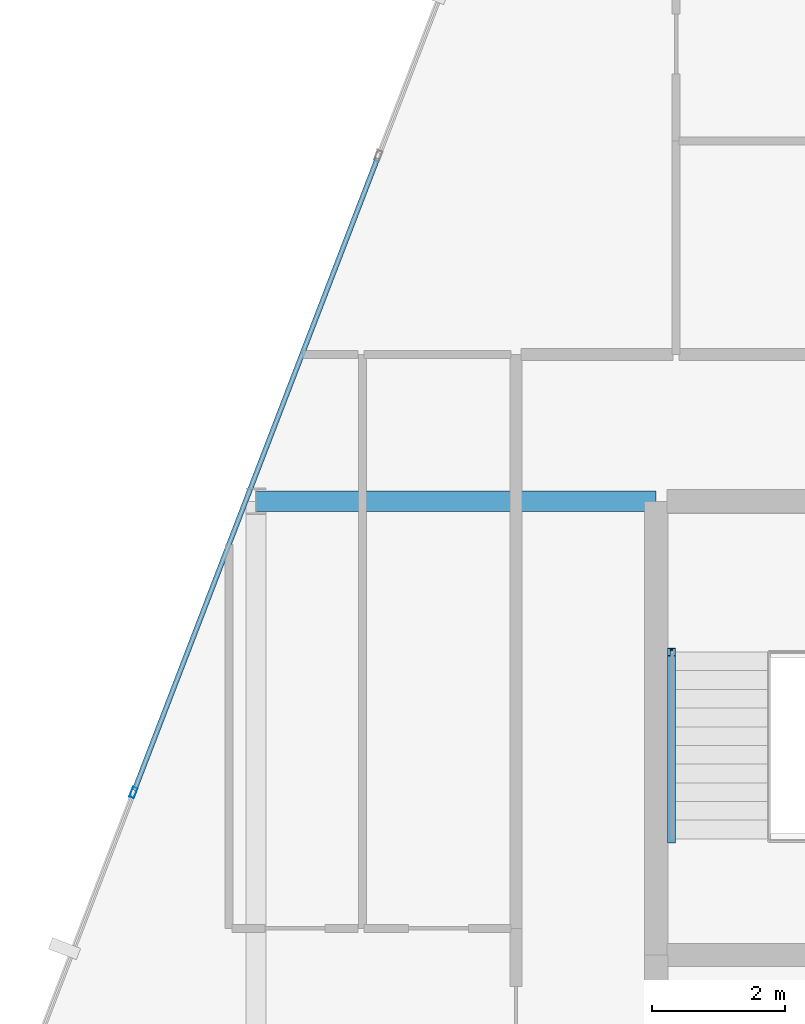
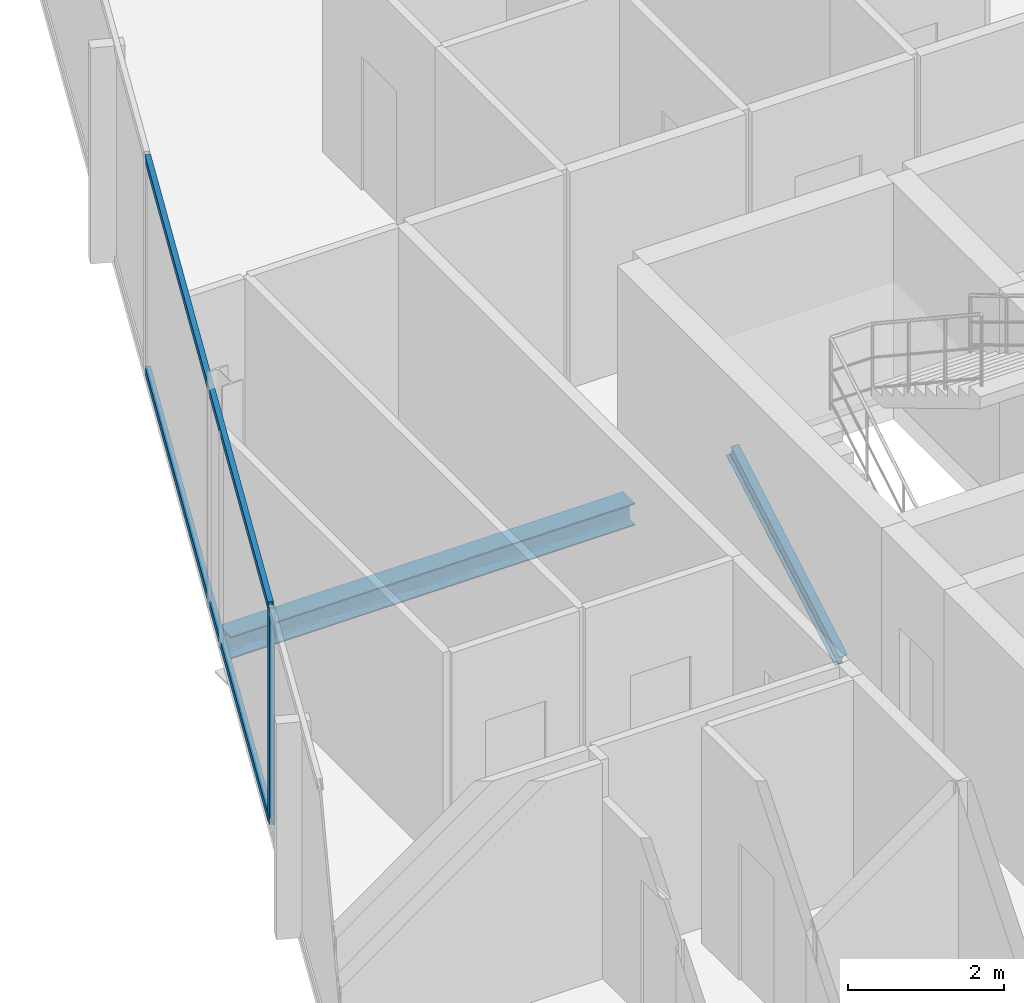
# One storey, part 12 of 30: 4 members, 1 beam, 1 element without a shape of its own.
"""IFC4 building model written with IfcOpenShell, lengths in metres."""

from ifc_helpers import new_model, si_unit, direction, frame, origin, origin_2d, place, context, subcontext, project, spatial, hollow_rectangle, i_section, extrude, material, layer, layer_set, material_profile, profile_set, type_object, element, aggregate, save


model = new_model("IFC4")

# Units and contexts
model_context = context("Model", 3, precision=1e-05, world=origin(), true_north=direction((0.0, 1.0)))
body_context = subcontext(model_context, "Body", "Model", "MODEL_VIEW")
ifc_project = project(units=[si_unit("LENGTHUNIT", "METRE"), si_unit("AREAUNIT", "SQUARE_METRE"), si_unit("VOLUMEUNIT", "CUBIC_METRE"), si_unit("PLANEANGLEUNIT", "RADIAN"), si_unit("MASSUNIT", "GRAM", prefix="KILO")], contexts=[model_context])

# Site, building, storey
site_placement = place(None, origin())
site = spatial("IfcSite", under=ifc_project, at=site_placement, CompositionType="ELEMENT")
building_placement = place(site_placement, origin())
building = spatial("IfcBuilding", under=site, at=building_placement, Name="Keshet Zoharim Tower", CompositionType="ELEMENT")
storey_placement = place(building_placement, frame((0.0, 0.0, 280.60009765625)))
storey = spatial("IfcBuildingStorey", under=building, at=storey_placement, Name="L70", CompositionType="ELEMENT", Elevation=280.60009765625)

# Beam
ifc_material_1 = material(Name="Steel S355", Category="steel")
ifc_material_profile_1 = material_profile(ifc_material_1, i_section(OverallWidth=0.300048828125, OverallDepth=0.35009765625, WebThickness=0.010009765625, FlangeThickness=0.017578125, FilletRadius=0.027099609375, at=origin_2d()), Name="HEA360")
ifc_profile_set_1 = profile_set([ifc_material_profile_1], Name="Steel S355")
beam_type = type_object("IfcBeamType", Name="BM-PRI-HA360", PredefinedType="BEAM", material=ifc_profile_set_1)
beam_placement = place(storey_placement, frame((9.0, 37.89990234375, -0.485107421875), z_axis=(1.0, 0.0, 0.0), x_axis=(0.0, 1.0, 0.0)))
element("IfcBeam", 1, at=beam_placement, inside=storey, type_object=beam_type, Name="L70 Primary Girder X-008", PredefinedType="BEAM", context=body_context, shape_type="SweptSolid", body=[
    extrude(i_section(OverallWidth=0.300048828125, OverallDepth=0.35009765625, WebThickness=0.010009765625, FlangeThickness=0.017578125, FilletRadius=0.027099609375, at=origin_2d()), origin(), (0.0, 0.0, 1.0), 6.0),
])

# Curtain wall, members
ifc_material_2 = material(Name="Aluminium 6063-T6", Category="aluminium")
ifc_layer = layer(ifc_material_2, 0.260009765625)
ifc_layer_set = layer_set([ifc_layer], Name="Aluminium 6063-T6")
curtain_wall_type = type_object("IfcCurtainWallType", Name="CW-SYS-06", PredefinedType="NOTDEFINED", material=ifc_layer_set)
curtain_wall_placement = place(storey_placement, origin())
curtain_wall = element("IfcCurtainWall", 2, at=curtain_wall_placement, inside=storey, type_object=curtain_wall_type, Name="L70 Unitised Curtain Wall 03", PredefinedType="NOTDEFINED")
ifc_material_profile_2 = material_profile(ifc_material_2, hollow_rectangle(XDim=0.074951171875, YDim=0.159912109375, WallThickness=0.00390625, at=origin_2d()), Name="MUL-75x160")
ifc_profile_set_2 = profile_set([ifc_material_profile_2], Name="Aluminium 6063-T6")
member_type_1 = type_object("IfcMemberType", Name="CWM-M15", PredefinedType="MULLION", material=ifc_profile_set_2)
member_1_placement = place(storey_placement, frame((7.1669921875, 33.53466796875, 0.0), z_axis=(0.0, 0.0, 1.0), x_axis=(-0.933341404361, 0.358990003907, 0.0)))
member_1 = element("IfcMember", 3, at=member_1_placement, type_object=member_type_1, Name="CW-06 mullion 2", PredefinedType="MULLION", context=body_context, shape_type="SweptSolid", body=[
    extrude(hollow_rectangle(XDim=0.074951171875, YDim=0.159912109375, WallThickness=0.00390625, at=origin_2d()), origin(), (0.0, 0.0, 1.0), 3.389892578125),
])
ifc_material_profile_3 = material_profile(ifc_material_2, hollow_rectangle(XDim=0.074951171875, YDim=0.1201171875, WallThickness=0.00390625, at=origin_2d()), Name="TRN-75x120")
ifc_profile_set_3 = profile_set([ifc_material_profile_3], Name="Aluminium 6063-T6")
member_type_2 = type_object("IfcMemberType", Name="CWT-T12", PredefinedType="USERDEFINED", material=ifc_profile_set_3)
member_2_placement = place(storey_placement, frame((7.179443359375, 33.5673828125, 0.034912109375), z_axis=(0.359003248899, 0.933336309848, 0.0), x_axis=(-0.933336309848, 0.359003248899, 0.0)))
member_2 = element("IfcMember", 4, at=member_2_placement, type_object=member_type_2, Name="CW-06 transom 2.1", ObjectType="TRANSOM", PredefinedType="USERDEFINED", context=body_context, shape_type="SweptSolid", body=[
    extrude(hollow_rectangle(XDim=0.074951171875, YDim=0.1201171875, WallThickness=0.00390625, at=origin_2d()), origin(), (0.0, 0.0, 1.0), 10.153076171875),
])
member_3_placement = place(storey_placement, frame((7.179443359375, 33.5673828125, 3.35498046875), z_axis=(0.359003248899, 0.933336309848, 0.0), x_axis=(-0.933336309848, 0.359003248899, 0.0)))
member_3 = element("IfcMember", 5, at=member_3_placement, type_object=member_type_2, Name="CW-06 transom 2.2", ObjectType="TRANSOM", PredefinedType="USERDEFINED", context=body_context, shape_type="SweptSolid", body=[
    extrude(hollow_rectangle(XDim=0.074951171875, YDim=0.1201171875, WallThickness=0.00390625, at=origin_2d()), origin(), (0.0, 0.0, 1.0), 10.153076171875),
])
aggregate(curtain_wall, [member_1, member_2, member_3])

# Member
ifc_material_profile_4 = material_profile(ifc_material_1, i_section(OverallWidth=0.1201171875, OverallDepth=0.239990234375, WebThickness=0.006103515625, FlangeThickness=0.009765625, FilletRadius=0.014892578125, at=origin_2d()), Name="IPE240")
ifc_profile_set_4 = profile_set([ifc_material_profile_4], Name="Steel S355")
member_type_3 = type_object("IfcMemberType", Name="MB-STRG-IP240", PredefinedType="STRINGER", material=ifc_profile_set_4)
member_4_placement = place(storey_placement, frame((15.22998046875, 32.840087890625, 0.119873046875), z_axis=(0.0, 0.866876903101, 0.498522251129), x_axis=(-1.0, 0.0, 0.0)))
element("IfcMember", 6, at=member_4_placement, inside=storey, type_object=member_type_3, Name="L70 ST-02 Flight Steel Stringer", PredefinedType="STRINGER", context=body_context, shape_type="SweptSolid", body=[
    extrude(i_section(OverallWidth=0.1201171875, OverallDepth=0.239990234375, WebThickness=0.006103515625, FlangeThickness=0.009765625, FilletRadius=0.014892578125, at=origin_2d()), origin(), (0.0, 0.0, 1.0), 3.229736328125),
])

save(model, "model.ifc")
